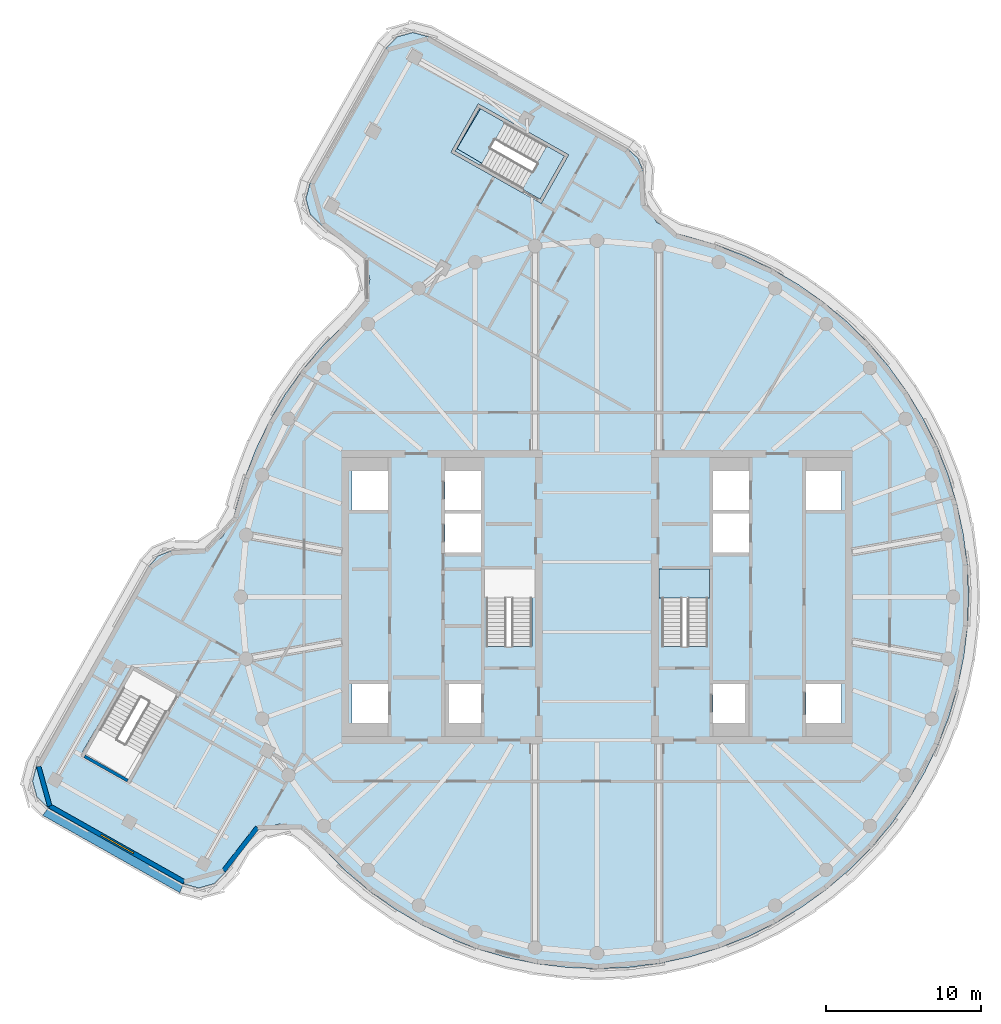
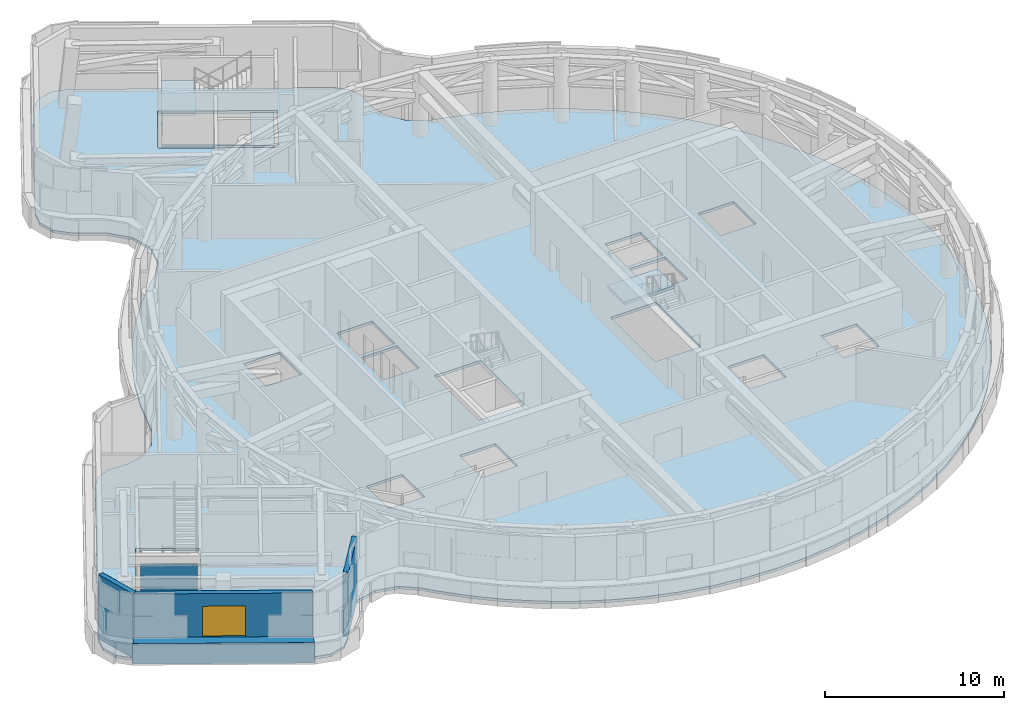
# One storey, part 4 of 15: 4 slabs, 4 walls, 1 member, 1 window, 1 opening, 2 elements without a shape of their own.
"""IFC4 building model written with IfcOpenShell, lengths in metres."""

from ifc_helpers import new_model, si_unit, direction, frame, frame_2d, origin, place, context, subcontext, project, spatial, polyline, rectangle, outline, extrude, material, layer, layer_set, type_object, element, fill, aggregate, save


model = new_model("IFC4")

# Units and contexts
model_context = context("Model", 3, precision=1e-05, world=origin(), true_north=direction((0.0, 1.0)))
body_context = subcontext(model_context, "Body", "Model", "MODEL_VIEW")
ifc_project = project(units=[si_unit("LENGTHUNIT", "METRE"), si_unit("AREAUNIT", "SQUARE_METRE"), si_unit("VOLUMEUNIT", "CUBIC_METRE"), si_unit("PLANEANGLEUNIT", "RADIAN"), si_unit("MASSUNIT", "GRAM", prefix="KILO")], contexts=[model_context])

# Member
ifc_material_1 = material(Name="Aluminium and insulated spandrel panel", Category="aluminium")
member_type = type_object("IfcMemberType", Name="Floor-edge blade transom", PredefinedType="USERDEFINED", material=ifc_material_1)
site_placement = place(None, origin())
building_placement = place(site_placement, origin())
storey_placement = place(building_placement, frame((0.0, 0.0, 252.300048828125)))
member_placement = place(storey_placement, origin())
member = element("IfcMember", 1, at=member_placement, type_object=member_type, Name="CWT-L64-00", ObjectType="TRANSOM", PredefinedType="USERDEFINED", context=body_context, shape_type="SweptSolid", body=[
    extrude(outline(polyline([(-35.412109375, -13.6162109375), (-26.699951171875, -18.525390625), (-26.92578125, -19.0869140625), (-35.775390625, -14.10009765625), (-35.412109375, -13.6162109375)])), origin(), (0.0, 0.0, 1.0), 1.39990234375),
])

# Site, building, storey
site = spatial("IfcSite", under=ifc_project, at=site_placement, CompositionType="ELEMENT")
building = spatial("IfcBuilding", under=site, at=building_placement, Name="Tamarind Cross Interchange Tower", CompositionType="ELEMENT")
storey = spatial("IfcBuildingStorey", under=building, at=storey_placement, Name="L64", CompositionType="ELEMENT", Elevation=252.300048828125)

# Slabs
ifc_material_2 = material(Name="Concrete C40", Category="concrete")
ifc_layer_1 = layer(ifc_material_2, 0.179931640625)
ifc_layer_set_1 = layer_set([ifc_layer_1], Name="Concrete C40")
slab_type_1 = type_object("IfcSlabType", Name="Composite slab 180 Concrete C40", PredefinedType="FLOOR", material=ifc_layer_set_1)
slab_1_placement = place(storey_placement, frame((0.0, 0.0, -0.179931640625)))
element("IfcSlab", 2, at=slab_1_placement, inside=storey, type_object=slab_type_1, Name="Floor slab L64", PredefinedType="FLOOR", context=body_context, shape_type="SweptSolid", body=[
    extrude(outline(polyline([(-28.321533203125, 2.644775390625), (-28.9130859375, 1.990966796875), (-36.172607421875, -10.891845703125), (-36.43017578125, -11.894775390625), (-36.151611328125, -12.891845703125), (-35.412109375, -13.6162109375), (-26.699951171875, -18.525390625), (-25.697265625, -18.782958984375), (-24.7001953125, -18.504638671875), (-23.975830078125, -17.764892578125), (-22.974609375, -16.04638671875), (-21.849609375, -15.011962890625), (-20.488037109375, -14.65576171875), (-19.1162109375, -14.970703125), (-18.076171875, -15.76025390625), (-17.584228515625, -16.327880859375), (-16.17578125, -17.72412109375), (-14.656982421875, -18.99951171875), (-13.0380859375, -20.14501953125), (-11.329833984375, -21.15283203125), (-9.54443359375, -22.01611328125), (-7.693603515625, -22.72900390625), (-5.79052734375, -23.286865234375), (-3.84765625, -23.685546875), (-1.878662109375, -23.92236328125), (0.103271484375, -23.99560546875), (2.08447265625, -23.9052734375), (4.051513671875, -23.651611328125), (5.99072265625, -23.236083984375), (7.88916015625, -22.662109375), (9.7333984375, -21.93310546875), (11.511474609375, -21.054443359375), (13.2109375, -20.031982421875), (14.820068359375, -18.87255859375), (16.327880859375, -17.584228515625), (17.72412109375, -16.17578125), (18.99951171875, -14.656982421875), (20.14501953125, -13.0380859375), (21.15283203125, -11.329833984375), (22.01611328125, -9.54443359375), (22.72900390625, -7.693603515625), (23.286865234375, -5.79052734375), (23.685546875, -3.84765625), (23.92236328125, -1.878662109375), (23.99560546875, 0.103271484375), (23.9052734375, 2.08447265625), (23.651611328125, 4.051513671875), (23.236083984375, 5.99072265625), (22.662109375, 7.88916015625), (21.93310546875, 9.7333984375), (21.054443359375, 11.511474609375), (20.031982421875, 13.2109375), (18.87255859375, 14.820068359375), (17.584228515625, 16.327880859375), (16.17578125, 17.72412109375), (14.656982421875, 18.99951171875), (13.0380859375, 20.14501953125), (11.329833984375, 21.15283203125), (9.54443359375, 22.01611328125), (7.693603515625, 22.72900390625), (5.79052734375, 23.286865234375), (5.162841796875, 23.4462890625), (3.86328125, 24.17822265625), (3.107666015625, 25.325439453125), (2.93212890625, 26.23388671875), (2.949462890625, 26.923583984375), (2.980712890625, 27.506591796875), (2.644775390625, 28.321533203125), (1.990966796875, 28.9130859375), (-10.891845703125, 36.172607421875), (-11.894775390625, 36.43017578125), (-12.891845703125, 36.151611328125), (-13.6162109375, 35.412109375), (-18.525390625, 26.699951171875), (-18.782958984375, 25.697265625), (-18.504638671875, 24.7001953125), (-17.764892578125, 23.975830078125), (-16.04638671875, 22.974609375), (-15.011962890625, 21.849609375), (-14.65576171875, 20.488037109375), (-14.970703125, 19.1162109375), (-15.76025390625, 18.076171875), (-16.327880859375, 17.584228515625), (-17.72412109375, 16.17578125), (-18.99951171875, 14.656982421875), (-20.14501953125, 13.0380859375), (-21.15283203125, 11.329833984375), (-22.01611328125, 9.54443359375), (-22.72900390625, 7.693603515625), (-23.286865234375, 5.79052734375), (-23.4462890625, 5.162841796875), (-24.17822265625, 3.86328125), (-25.325439453125, 3.107666015625), (-26.23388671875, 2.93212890625), (-26.923583984375, 2.949462890625), (-27.506591796875, 2.980712890625), (-28.321533203125, 2.644775390625)]), holes=[polyline([(-30.163818359375, -12.043212890625), (-30.338134765625, -11.945068359375), (-33.1259765625, -10.3740234375), (-33.30029296875, -10.27587890625), (-33.16015625, -10.027587890625), (-33.2119140625, -9.9970703125), (-31.544921875, -7.1611328125), (-30.010986328125, -4.43896484375), (-29.8369140625, -4.537109375), (-27.048828125, -6.108154296875), (-26.874755859375, -6.206298828125), (-30.163818359375, -12.043212890625)]), polyline([(-13.5, -8.125), (-15.800048828125, -8.125), (-15.800048828125, -5.625), (-13.5, -5.625), (-13.5, -8.125)]), polyline([(-7.5, -5.625), (-7.5, -8.125), (-9.800048828125, -8.125), (-9.800048828125, -5.625), (-7.5, -5.625)]), polyline([(-7.5, 2.875), (-9.800048828125, 2.875), (-9.800048828125, 5.375), (-7.5, 5.375), (-7.5, 2.875)]), polyline([(-13.5, 8.125), (-13.5, 5.625), (-15.800048828125, 5.625), (-15.800048828125, 8.125), (-13.5, 8.125)]), polyline([(-7.5, 5.625), (-9.800048828125, 5.625), (-9.800048828125, 8.125), (-7.5, 8.125), (-7.5, 5.625)]), polyline([(-9.4296875, 28.691162109375), (-9.33154296875, 28.865478515625), (-7.760498046875, 31.6533203125), (-7.662353515625, 31.827392578125), (-7.41357421875, 31.687255859375), (-7.410888671875, 31.691650390625), (-7.1611328125, 31.544921875), (-1.8251953125, 28.5380859375), (-1.923583984375, 28.364013671875), (-3.494384765625, 25.576171875), (-3.592529296875, 25.40185546875), (-9.4296875, 28.691162109375)]), polyline([(7.5, -8.125), (7.5, -5.625), (9.800048828125, -5.625), (9.800048828125, -8.125), (7.5, -8.125)]), polyline([(13.5, -8.125), (13.5, -5.625), (15.800048828125, -5.625), (15.800048828125, -8.125), (13.5, -8.125)]), polyline([(-7.14990234375, 1.800048828125), (-4.199951171875, 1.800048828125), (-4.199951171875, -3.18798828125), (-7.14990234375, -3.18798828125), (-7.14990234375, 1.800048828125)]), polyline([(7.14990234375, 1.800048828125), (7.14990234375, -3.18798828125), (4.199951171875, -3.18798828125), (4.199951171875, 1.800048828125), (7.14990234375, 1.800048828125)]), polyline([(7.5, 5.375), (9.800048828125, 5.375), (9.800048828125, 2.875), (7.5, 2.875), (7.5, 5.375)]), polyline([(7.5, 5.625), (7.5, 8.125), (9.800048828125, 8.125), (9.800048828125, 5.625), (7.5, 5.625)]), polyline([(13.5, 8.125), (15.800048828125, 8.125), (15.800048828125, 5.625), (13.5, 5.625), (13.5, 8.125)])]), origin(), (0.0, 0.0, 1.0), 0.179931640625),
])
slab_2_placement = place(storey_placement, frame((0.0, 0.0, -0.179931640625)))
element("IfcSlab", 3, at=slab_2_placement, inside=storey, type_object=slab_type_1, Name="Floor slab L64", PredefinedType="FLOOR", context=body_context, shape_type="SweptSolid", body=[
    extrude(outline(polyline([(-3.668701171875, 25.67431640625), (-2.09765625, 28.462158203125), (-3.24072265625, 29.106201171875), (-4.755126953125, 26.4189453125), (-9.0322265625, 28.93310546875), (-7.514892578125, 31.5146484375), (-7.586181640625, 31.554931640625), (-9.1572265625, 28.76708984375), (-3.668701171875, 25.67431640625)])), origin(), (0.0, 0.0, 1.0), 0.179931640625),
])

# Stair, slab
ifc_material_3 = material(Name="Exit stair")
stair_type = type_object("IfcStairType", Name="Exit stair", PredefinedType="HALF_TURN_STAIR", material=ifc_material_3)
stair_1_placement = place(storey_placement, origin())
stair_1 = element("IfcStair", 4, at=stair_1_placement, inside=storey, type_object=stair_type, Name="L64 exit stair ST2", PredefinedType="HALF_TURN_STAIR")
ifc_layer_2 = layer(ifc_material_2, 0.199951171875)
ifc_layer_set_2 = layer_set([ifc_layer_2], Name="Concrete C40")
slab_type_2 = type_object("IfcSlabType", Name="Stair landing", PredefinedType="LANDING", material=ifc_layer_set_2)
slab_3_placement = place(storey_placement, frame((0.0, 0.0, 2.050048828125)))
slab_3 = element("IfcSlab", 5, at=slab_3_placement, type_object=slab_type_2, Name="ST2 landing 1", PredefinedType="LANDING", context=body_context, shape_type="SweptSolid", body=[
    extrude(outline(polyline([(7.25, -0.080078125), (7.25, 1.800048828125), (4.0, 1.800048828125), (4.0, -0.080078125), (7.25, -0.080078125)])), origin(), (0.0, 0.0, 1.0), 0.199951171875),
])
aggregate(stair_1, [slab_3])

stair_2_placement = place(storey_placement, origin())
stair_2 = element("IfcStair", 6, at=stair_2_placement, inside=storey, type_object=stair_type, Name="L64 exit stair ST4", PredefinedType="HALF_TURN_STAIR")
slab_4_placement = place(storey_placement, frame((0.0, 0.0, 2.050048828125)))
slab_4 = element("IfcSlab", 7, at=slab_4_placement, type_object=slab_type_2, Name="ST4 landing 1", PredefinedType="LANDING", context=body_context, shape_type="SweptSolid", body=[
    extrude(outline(polyline([(-5.93798828125, 30.626220703125), (-7.586181640625, 31.554931640625), (-9.1572265625, 28.76708984375), (-7.509033203125, 27.83837890625), (-5.93798828125, 30.626220703125)])), origin(), (0.0, 0.0, 1.0), 0.199951171875),
])
aggregate(stair_2, [slab_4])

# Wall, opening, window
ifc_material_4 = material(Name="Precast concrete C40", Category="concrete")
ifc_layer_3 = layer(ifc_material_4, 0.300048828125)
ifc_layer_set_3 = layer_set([ifc_layer_3], Name="Precast concrete C40")
wall_type_1 = type_object("IfcWallType", Name="Plant louvre wall", PredefinedType="SOLIDWALL", material=ifc_layer_set_3)
wall_1_placement = place(storey_placement, frame((-35.3212890625, -13.4951171875, 0.0), z_axis=(0.0, 0.0, 1.0), x_axis=(0.871203482324, -0.490922083825, 0.0)))
wall_1 = element("IfcWall", 8, at=wall_1_placement, inside=storey, type_object=wall_type_1, Name="EXW-L64-00-00", PredefinedType="SOLIDWALL", context=body_context, shape_type="SweptSolid", body=[
    extrude(rectangle(XDim=9.960693359375, YDim=0.300048828125, at=frame_2d((4.98046875, 0.0))), origin(), (0.0, 0.0, 1.0), 4.35986328125),
])
opening_placement = place(wall_1_placement, frame((3.800048828125, 0.0, 1.39990234375)))
opening = element("IfcOpeningElement", 9, at=opening_placement, cuts=wall_1, Name="Opening W3", PredefinedType="OPENING", context=body_context, shape_type="SweptSolid", body=[
    extrude(rectangle(XDim=2.39990234375, YDim=2.10009765625, at=frame_2d((1.199951171875, 1.050048828125))), frame((0.0, 0.159912109375, 0.0), z_axis=(0.0, -1.0, 0.0), x_axis=(1.0, 0.0, 0.0)), (0.0, 0.0, 1.0), 0.320068359375),
])
ifc_material_5 = material(Name="Aluminium and fire-resisting glass", Category="aluminium")
window_type = type_object("IfcWindowType", Name="Refuge rescue window", PartitioningType="DOUBLE_PANEL_VERTICAL", PredefinedType="WINDOW", material=ifc_material_5)
window_placement = place(opening_placement, origin())
window = element("IfcWindow", 10, at=window_placement, inside=storey, type_object=window_type, Name="RSW-L64-00-02", OverallHeight=2.10009765625, OverallWidth=2.39990234375, PartitioningType="SINGLE_PANEL", PredefinedType="WINDOW", context=body_context, shape_type="SweptSolid", body=[
    extrude(rectangle(XDim=2.39990234375, YDim=2.10009765625, at=frame_2d((1.199951171875, 1.050048828125))), frame((0.0, 0.030029296875, 0.0), z_axis=(0.0, -1.0, 0.0), x_axis=(1.0, 0.0, 0.0)), (0.0, 0.0, 1.0), 0.06005859375),
])
fill(opening, window)

aggregate(wall_1, [member])

# Walls
wall_2_placement = place(storey_placement, frame((-24.095947265625, -17.67333984375, 0.0), z_axis=(0.0, 0.0, 1.0), x_axis=(0.613382087815, 0.789786309294, 0.0)))
element("IfcWall", 11, at=wall_2_placement, inside=storey, type_object=wall_type_1, Name="EXW-L64-01-01", PredefinedType="SOLIDWALL", context=body_context, shape_type="SweptSolid", body=[
    extrude(rectangle(XDim=3.54150390625, YDim=0.300048828125, at=frame_2d((1.770751953125, 0.0))), origin(), (0.0, 0.0, 1.0), 4.35986328125),
])
wall_3_placement = place(storey_placement, frame((-36.0322265625, -10.9482421875, 0.0), z_axis=(0.0, 0.0, 1.0), x_axis=(0.268862712844, -0.963178509749, 0.0)))
element("IfcWall", 12, at=wall_3_placement, inside=storey, type_object=wall_type_1, Name="EXW-L64-05-01", PredefinedType="SOLIDWALL", context=body_context, shape_type="SweptSolid", body=[
    extrude(rectangle(XDim=2.644287109375, YDim=0.300048828125, at=frame_2d((1.322265625, 0.0))), origin(), (0.0, 0.0, 1.0), 4.35986328125),
])
ifc_layer_4 = layer(ifc_material_2, 0.199951171875)
ifc_layer_set_4 = layer_set([ifc_layer_4], Name="Concrete C40")
wall_type_2 = type_object("IfcWallType", Name="Stair shaft wall 200 mm Concrete C40", PredefinedType="SHEAR", material=ifc_layer_set_4)
wall_4_placement = place(storey_placement, frame((0.0, 0.0, -0.179931640625)))
element("IfcWall", 13, at=wall_4_placement, inside=storey, type_object=wall_type_2, Name="Core wall CWL-L64-ST5-CF", PredefinedType="SHEAR", context=body_context, shape_type="SweptSolid", body=[
    extrude(outline(polyline([(-33.02783203125, -10.199951171875), (-33.1259765625, -10.3740234375), (-30.338134765625, -11.945068359375), (-30.239990234375, -11.77099609375), (-33.02783203125, -10.199951171875)])), origin(), (0.0, 0.0, 1.0), 3.72998046875),
])

save(model, "model.ifc")
